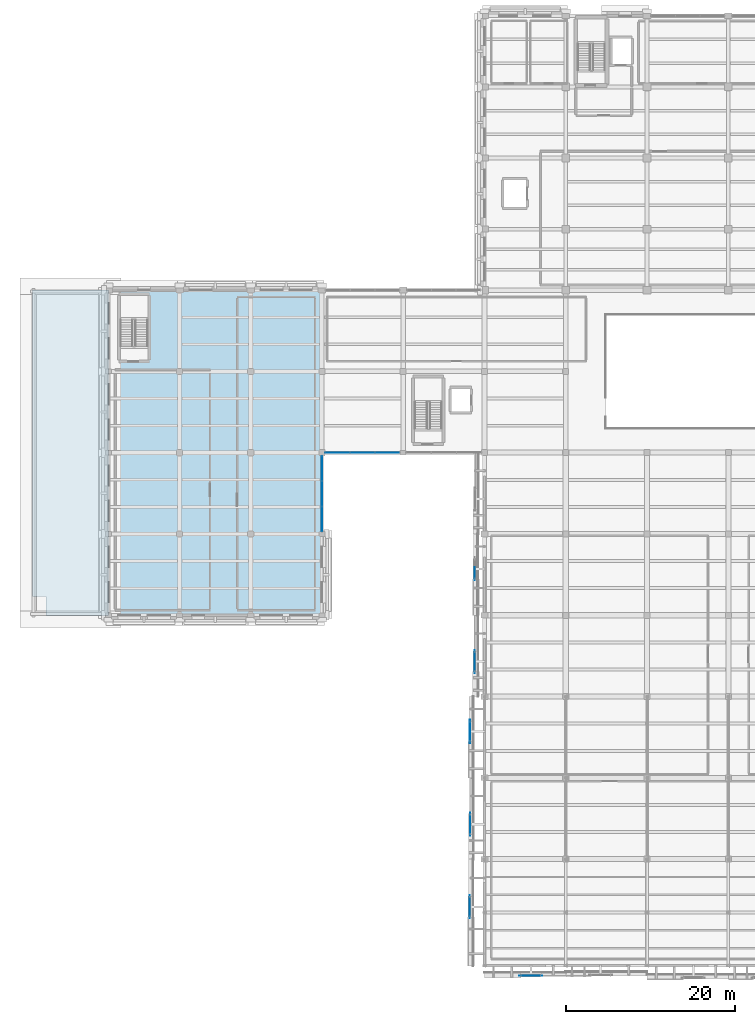
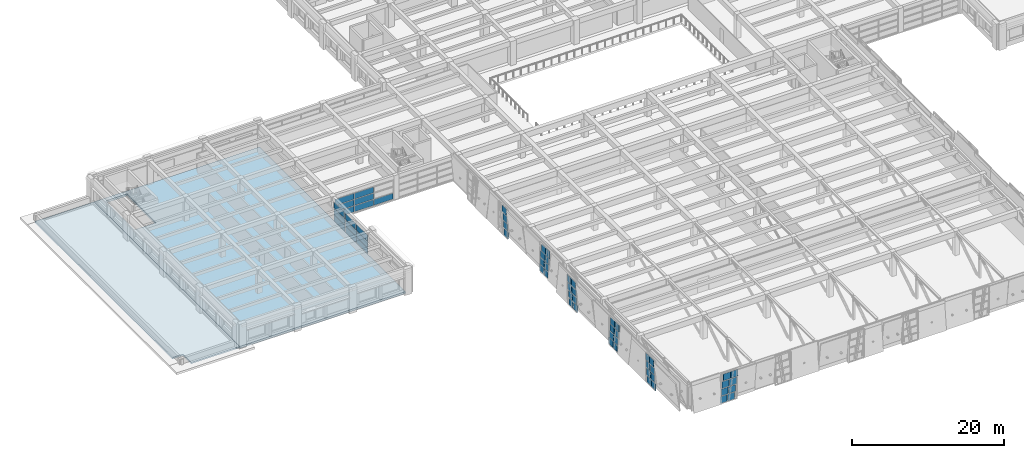
# One storey, part 30 of 62: 60 plates, 2 slabs, 8 elements without a shape of their own.
"""IFC4 building model written with IfcOpenShell, lengths in metres."""

from ifc_helpers import new_model, si_unit, direction, frame, origin, origin_2d, place, context, subcontext, project, spatial, polyline, rectangle, outline, extrude, material, layer, layer_set, type_object, element, aggregate, save


model = new_model("IFC4")

# Units and contexts
model_context = context("Model", 3, precision=1e-05, world=origin(), true_north=direction((0.0, 1.0)))
body_context = subcontext(model_context, "Body", "Model", "MODEL_VIEW")
ifc_project = project(units=[si_unit("LENGTHUNIT", "METRE"), si_unit("AREAUNIT", "SQUARE_METRE"), si_unit("VOLUMEUNIT", "CUBIC_METRE"), si_unit("PLANEANGLEUNIT", "RADIAN"), si_unit("MASSUNIT", "GRAM", prefix="KILO")], contexts=[model_context])

# Site, building, storey
site_placement = place(None, origin())
site = spatial("IfcSite", under=ifc_project, at=site_placement, CompositionType="ELEMENT")
building_placement = place(site_placement, origin())
building = spatial("IfcBuilding", under=site, at=building_placement, Name="Bempovik Park Faculty of Sciences", CompositionType="ELEMENT")
storey_placement = place(building_placement, frame((0.0, 0.0, 9.89990234375)))
storey = spatial("IfcBuildingStorey", under=building, at=storey_placement, Name="L02", CompositionType="ELEMENT", Elevation=9.89990234375)

# Curtain wall, plates
ifc_material_1 = material(Name="Tempered laminated low-E glass", Category="glass")
ifc_layer_1 = layer(ifc_material_1, 0.159912109375)
ifc_layer_set_1 = layer_set([ifc_layer_1], Name="Tempered laminated low-E glass")
curtain_wall_type_1 = type_object("IfcCurtainWallType", Name="CW-41 Curtain 6600x3800", PredefinedType="USERDEFINED", material=ifc_layer_set_1)
curtain_wall_1_placement = place(storey_placement, origin())
curtain_wall_1 = element("IfcCurtainWall", 1, at=curtain_wall_1_placement, inside=storey, type_object=curtain_wall_type_1, Name="L02 Unitised Curtain Wall (67.8,40.8)", ObjectType="UNITISED CURTAIN WALL", PredefinedType="USERDEFINED")
ifc_layer_2 = layer(ifc_material_1, 0.033935546875)
ifc_layer_set_2 = layer_set([ifc_layer_2], Name="Tempered laminated low-E glass")
plate_type_1 = type_object("IfcPlateType", Name="CP-19 Curtain Panel 34mm", PredefinedType="CURTAIN_PANEL", material=ifc_layer_set_2)
plate_1_placement = place(storey_placement, frame((42.64306640625, 67.800048828125, 1.066650390625), z_axis=(0.0, 0.0, 1.0), x_axis=(1.0, 0.0, 0.0)))
plate_1 = element("IfcPlate", 2, at=plate_1_placement, type_object=plate_type_1, Name="CW-BAY-L02-678-408 Panel 0-1", PredefinedType="CURTAIN_PANEL", context=body_context, shape_type="SweptSolid", body=[
    extrude(rectangle(XDim=2.882080078125, YDim=0.035888671875, at=origin_2d()), origin(), (0.0, 0.0, 1.0), 0.94677734375),
])
plate_2_placement = place(storey_placement, frame((42.64306640625, 67.800048828125, 2.093505859375), z_axis=(0.0, 0.0, 1.0), x_axis=(1.0, 0.0, 0.0)))
plate_2 = element("IfcPlate", 3, at=plate_2_placement, type_object=plate_type_1, Name="CW-BAY-L02-678-408 Panel 0-2", PredefinedType="CURTAIN_PANEL", context=body_context, shape_type="SweptSolid", body=[
    extrude(rectangle(XDim=2.882080078125, YDim=0.035888671875, at=origin_2d()), origin(), (0.0, 0.0, 1.0), 0.94677734375),
])
plate_3_placement = place(storey_placement, frame((45.60498046875, 67.800048828125, 1.066650390625), z_axis=(0.0, 0.0, 1.0), x_axis=(1.0, 0.0, 0.0)))
plate_3 = element("IfcPlate", 4, at=plate_3_placement, type_object=plate_type_1, Name="CW-BAY-L02-678-408 Panel 1-1", PredefinedType="CURTAIN_PANEL", context=body_context, shape_type="SweptSolid", body=[
    extrude(rectangle(XDim=2.882080078125, YDim=0.035888671875, at=origin_2d()), origin(), (0.0, 0.0, 1.0), 0.94677734375),
])
plate_4_placement = place(storey_placement, frame((45.60498046875, 67.800048828125, 2.093505859375), z_axis=(0.0, 0.0, 1.0), x_axis=(1.0, 0.0, 0.0)))
plate_4 = element("IfcPlate", 5, at=plate_4_placement, type_object=plate_type_1, Name="CW-BAY-L02-678-408 Panel 1-2", PredefinedType="CURTAIN_PANEL", context=body_context, shape_type="SweptSolid", body=[
    extrude(rectangle(XDim=2.882080078125, YDim=0.035888671875, at=origin_2d()), origin(), (0.0, 0.0, 1.0), 0.94677734375),
])

ifc_layer_3 = layer(ifc_material_1, 0.159912109375)
ifc_layer_set_3 = layer_set([ifc_layer_3], Name="Tempered laminated low-E glass")
curtain_wall_type_2 = type_object("IfcCurtainWallType", Name="CW-42 Curtain 6400x3700", PredefinedType="USERDEFINED", material=ifc_layer_set_3)
curtain_wall_2_placement = place(storey_placement, origin())
curtain_wall_2 = element("IfcCurtainWall", 6, at=curtain_wall_2_placement, inside=storey, type_object=curtain_wall_type_2, Name="L02 Unitised Curtain Wall (40.8,58.2)", ObjectType="UNITISED CURTAIN WALL", PredefinedType="USERDEFINED")
ifc_layer_4 = layer(ifc_material_1, 0.028076171875)
ifc_layer_set_4 = layer_set([ifc_layer_4], Name="Tempered laminated low-E glass")
plate_type_2 = type_object("IfcPlateType", Name="CP-20 Curtain Panel 28mm", PredefinedType="CURTAIN_PANEL", material=ifc_layer_set_4)
plate_5_placement = place(storey_placement, frame((40.800048828125, 59.96630859375, 1.066650390625), z_axis=(0.0, 0.0, 1.0), x_axis=(0.0, 1.0, 0.0)))
plate_5 = element("IfcPlate", 7, at=plate_5_placement, type_object=plate_type_2, Name="CW-BAY-L02-408-582 Panel 0-1", PredefinedType="CURTAIN_PANEL", context=body_context, shape_type="SweptSolid", body=[
    extrude(rectangle(XDim=2.90869140625, YDim=0.035888671875, at=origin_2d()), origin(), (0.0, 0.0, 1.0), 0.94677734375),
])
plate_6_placement = place(storey_placement, frame((40.800048828125, 59.96630859375, 2.093505859375), z_axis=(0.0, 0.0, 1.0), x_axis=(0.0, 1.0, 0.0)))
plate_6 = element("IfcPlate", 8, at=plate_6_placement, type_object=plate_type_2, Name="CW-BAY-L02-408-582 Panel 0-2", PredefinedType="CURTAIN_PANEL", context=body_context, shape_type="SweptSolid", body=[
    extrude(rectangle(XDim=2.90869140625, YDim=0.035888671875, at=origin_2d()), origin(), (0.0, 0.0, 1.0), 0.94677734375),
])
plate_7_placement = place(storey_placement, frame((40.800048828125, 62.955078125, 1.066650390625), z_axis=(0.0, 0.0, 1.0), x_axis=(0.0, 1.0, 0.0)))
plate_7 = element("IfcPlate", 9, at=plate_7_placement, type_object=plate_type_2, Name="CW-BAY-L02-408-582 Panel 1-1", PredefinedType="CURTAIN_PANEL", context=body_context, shape_type="SweptSolid", body=[
    extrude(rectangle(XDim=2.90869140625, YDim=0.035888671875, at=origin_2d()), origin(), (0.0, 0.0, 1.0), 0.94677734375),
])
plate_8_placement = place(storey_placement, frame((40.800048828125, 62.955078125, 2.093505859375), z_axis=(0.0, 0.0, 1.0), x_axis=(0.0, 1.0, 0.0)))
plate_8 = element("IfcPlate", 10, at=plate_8_placement, type_object=plate_type_2, Name="CW-BAY-L02-408-582 Panel 1-2", PredefinedType="CURTAIN_PANEL", context=body_context, shape_type="SweptSolid", body=[
    extrude(rectangle(XDim=2.90869140625, YDim=0.035888671875, at=origin_2d()), origin(), (0.0, 0.0, 1.0), 0.94677734375),
])
plate_9_placement = place(storey_placement, frame((40.800048828125, 65.943603515625, 1.066650390625), z_axis=(0.0, 0.0, 1.0), x_axis=(0.0, 1.0, 0.0)))
plate_9 = element("IfcPlate", 11, at=plate_9_placement, type_object=plate_type_2, Name="CW-BAY-L02-408-582 Panel 2-1", PredefinedType="CURTAIN_PANEL", context=body_context, shape_type="SweptSolid", body=[
    extrude(rectangle(XDim=2.90869140625, YDim=0.035888671875, at=origin_2d()), origin(), (0.0, 0.0, 1.0), 0.94677734375),
])
plate_10_placement = place(storey_placement, frame((40.800048828125, 65.943603515625, 2.093505859375), z_axis=(0.0, 0.0, 1.0), x_axis=(0.0, 1.0, 0.0)))
plate_10 = element("IfcPlate", 12, at=plate_10_placement, type_object=plate_type_2, Name="CW-BAY-L02-408-582 Panel 2-2", PredefinedType="CURTAIN_PANEL", context=body_context, shape_type="SweptSolid", body=[
    extrude(rectangle(XDim=2.90869140625, YDim=0.035888671875, at=origin_2d()), origin(), (0.0, 0.0, 1.0), 0.94677734375),
])

ifc_layer_5 = layer(ifc_material_1, 0.159912109375)
ifc_layer_set_5 = layer_set([ifc_layer_5], Name="Tempered laminated low-E glass")
curtain_wall_type_3 = type_object("IfcCurtainWallType", Name="CW-61 Curtain 2400x4200", PredefinedType="USERDEFINED", material=ifc_layer_set_5)
curtain_wall_3_placement = place(storey_placement, origin())
curtain_wall_3 = element("IfcCurtainWall", 13, at=curtain_wall_3_placement, inside=storey, type_object=curtain_wall_type_3, Name="L02 Crystal Slantwise Light Fold (7.2,60.0)", ObjectType="UNITISED CURTAIN WALL", PredefinedType="USERDEFINED")
ifc_layer_6 = layer(ifc_material_1, 0.035888671875)
ifc_layer_set_6 = layer_set([ifc_layer_6], Name="Tempered laminated low-E glass")
plate_type_3 = type_object("IfcPlateType", Name="CP-22 Curtain Panel 36mm", PredefinedType="CURTAIN_PANEL", material=ifc_layer_set_6)
plate_11_placement = place(storey_placement, frame((64.64501953125, 6.03955078125, -0.3798828125), z_axis=(0.0, 0.0, 1.0), x_axis=(1.0, 0.0, 0.0)))
plate_11 = element("IfcPlate", 14, at=plate_11_placement, type_object=plate_type_3, Name="CW-FOLD-L02-72-600 Panel 0-0", PredefinedType="CURTAIN_PANEL", context=body_context, shape_type="SweptSolid", body=[
    extrude(rectangle(XDim=1.070068359375, YDim=0.035888671875, at=origin_2d()), origin(), (0.0, 0.0, 1.0), 1.0849609375),
])
plate_12_placement = place(storey_placement, frame((64.81494140625, 6.03955078125, 0.78515625), z_axis=(0.0, 0.0, 1.0), x_axis=(1.0, 0.0, 0.0)))
plate_12 = element("IfcPlate", 15, at=plate_12_placement, type_object=plate_type_3, Name="CW-FOLD-L02-72-600 Panel 0-1", PredefinedType="CURTAIN_PANEL", context=body_context, shape_type="SweptSolid", body=[
    extrude(rectangle(XDim=1.070068359375, YDim=0.035888671875, at=origin_2d()), origin(), (0.0, 0.0, 1.0), 1.0849609375),
])
plate_13_placement = place(storey_placement, frame((64.985107421875, 6.03955078125, 1.9501953125), z_axis=(0.0, 0.0, 1.0), x_axis=(1.0, 0.0, 0.0)))
plate_13 = element("IfcPlate", 16, at=plate_13_placement, type_object=plate_type_3, Name="CW-FOLD-L02-72-600 Panel 0-2", PredefinedType="CURTAIN_PANEL", context=body_context, shape_type="SweptSolid", body=[
    extrude(rectangle(XDim=1.070068359375, YDim=0.035888671875, at=origin_2d()), origin(), (0.0, 0.0, 1.0), 1.0849609375),
])
plate_14_placement = place(storey_placement, frame((65.155029296875, 6.03955078125, 3.115234375), z_axis=(0.0, 0.0, 1.0), x_axis=(1.0, 0.0, 0.0)))
plate_14 = element("IfcPlate", 17, at=plate_14_placement, type_object=plate_type_3, Name="CW-FOLD-L02-72-600 Panel 0-3", PredefinedType="CURTAIN_PANEL", context=body_context, shape_type="SweptSolid", body=[
    extrude(rectangle(XDim=1.070068359375, YDim=0.035888671875, at=origin_2d()), origin(), (0.0, 0.0, 1.0), 1.0849609375),
])
plate_15_placement = place(storey_placement, frame((65.794921875, 6.03955078125, -0.3798828125), z_axis=(0.0, 0.0, 1.0), x_axis=(1.0, 0.0, 0.0)))
plate_15 = element("IfcPlate", 18, at=plate_15_placement, type_object=plate_type_3, Name="CW-FOLD-L02-72-600 Panel 1-0", PredefinedType="CURTAIN_PANEL", context=body_context, shape_type="SweptSolid", body=[
    extrude(rectangle(XDim=1.070068359375, YDim=0.035888671875, at=origin_2d()), origin(), (0.0, 0.0, 1.0), 1.0849609375),
])
plate_16_placement = place(storey_placement, frame((65.965087890625, 6.03955078125, 0.78515625), z_axis=(0.0, 0.0, 1.0), x_axis=(1.0, 0.0, 0.0)))
plate_16 = element("IfcPlate", 19, at=plate_16_placement, type_object=plate_type_3, Name="CW-FOLD-L02-72-600 Panel 1-1", PredefinedType="CURTAIN_PANEL", context=body_context, shape_type="SweptSolid", body=[
    extrude(rectangle(XDim=1.070068359375, YDim=0.035888671875, at=origin_2d()), origin(), (0.0, 0.0, 1.0), 1.0849609375),
])
plate_17_placement = place(storey_placement, frame((66.135009765625, 6.03955078125, 1.9501953125), z_axis=(0.0, 0.0, 1.0), x_axis=(1.0, 0.0, 0.0)))
plate_17 = element("IfcPlate", 20, at=plate_17_placement, type_object=plate_type_3, Name="CW-FOLD-L02-72-600 Panel 1-2", PredefinedType="CURTAIN_PANEL", context=body_context, shape_type="SweptSolid", body=[
    extrude(rectangle(XDim=1.070068359375, YDim=0.035888671875, at=origin_2d()), origin(), (0.0, 0.0, 1.0), 1.0849609375),
])
plate_18_placement = place(storey_placement, frame((66.304931640625, 6.03955078125, 3.115234375), z_axis=(0.0, 0.0, 1.0), x_axis=(1.0, 0.0, 0.0)))
plate_18 = element("IfcPlate", 21, at=plate_18_placement, type_object=plate_type_3, Name="CW-FOLD-L02-72-600 Panel 1-3", PredefinedType="CURTAIN_PANEL", context=body_context, shape_type="SweptSolid", body=[
    extrude(rectangle(XDim=1.070068359375, YDim=0.035888671875, at=origin_2d()), origin(), (0.0, 0.0, 1.0), 1.0849609375),
])
aggregate(curtain_wall_3, [plate_11, plate_12, plate_13, plate_14, plate_15, plate_16, plate_17, plate_18])

curtain_wall_4_placement = place(storey_placement, origin())
curtain_wall_4 = element("IfcCurtainWall", 22, at=curtain_wall_4_placement, inside=storey, type_object=curtain_wall_type_3, Name="L02 Crystal Slantwise Light Fold (60.0,7.2)", ObjectType="UNITISED CURTAIN WALL", PredefinedType="USERDEFINED")
plate_19_placement = place(storey_placement, frame((58.259521484375, 13.344970703125, -0.3798828125), z_axis=(0.0, 0.0, 1.0), x_axis=(0.0, 1.0, 0.0)))
plate_19 = element("IfcPlate", 23, at=plate_19_placement, type_object=plate_type_3, Name="CW-FOLD-L02-600-72 Panel 0-0", PredefinedType="CURTAIN_PANEL", context=body_context, shape_type="SweptSolid", body=[
    extrude(rectangle(XDim=1.070068359375, YDim=0.035888671875, at=origin_2d()), origin(), (0.0, 0.0, 1.0), 1.0849609375),
])
plate_20_placement = place(storey_placement, frame((58.259521484375, 13.514892578125, 0.78515625), z_axis=(0.0, 0.0, 1.0), x_axis=(0.0, 1.0, 0.0)))
plate_20 = element("IfcPlate", 24, at=plate_20_placement, type_object=plate_type_3, Name="CW-FOLD-L02-600-72 Panel 0-1", PredefinedType="CURTAIN_PANEL", context=body_context, shape_type="SweptSolid", body=[
    extrude(rectangle(XDim=1.070068359375, YDim=0.035888671875, at=origin_2d()), origin(), (0.0, 0.0, 1.0), 1.0849609375),
])
plate_21_placement = place(storey_placement, frame((58.259521484375, 13.68505859375, 1.9501953125), z_axis=(0.0, 0.0, 1.0), x_axis=(0.0, 1.0, 0.0)))
plate_21 = element("IfcPlate", 25, at=plate_21_placement, type_object=plate_type_3, Name="CW-FOLD-L02-600-72 Panel 0-2", PredefinedType="CURTAIN_PANEL", context=body_context, shape_type="SweptSolid", body=[
    extrude(rectangle(XDim=1.070068359375, YDim=0.035888671875, at=origin_2d()), origin(), (0.0, 0.0, 1.0), 1.0849609375),
])
plate_22_placement = place(storey_placement, frame((58.259521484375, 13.85498046875, 3.115234375), z_axis=(0.0, 0.0, 1.0), x_axis=(0.0, 1.0, 0.0)))
plate_22 = element("IfcPlate", 26, at=plate_22_placement, type_object=plate_type_3, Name="CW-FOLD-L02-600-72 Panel 0-3", PredefinedType="CURTAIN_PANEL", context=body_context, shape_type="SweptSolid", body=[
    extrude(rectangle(XDim=1.070068359375, YDim=0.035888671875, at=origin_2d()), origin(), (0.0, 0.0, 1.0), 1.0849609375),
])
plate_23_placement = place(storey_placement, frame((58.259521484375, 14.4951171875, -0.3798828125), z_axis=(0.0, 0.0, 1.0), x_axis=(0.0, 1.0, 0.0)))
plate_23 = element("IfcPlate", 27, at=plate_23_placement, type_object=plate_type_3, Name="CW-FOLD-L02-600-72 Panel 1-0", PredefinedType="CURTAIN_PANEL", context=body_context, shape_type="SweptSolid", body=[
    extrude(rectangle(XDim=1.070068359375, YDim=0.035888671875, at=origin_2d()), origin(), (0.0, 0.0, 1.0), 1.0849609375),
])
plate_24_placement = place(storey_placement, frame((58.259521484375, 14.6650390625, 0.78515625), z_axis=(0.0, 0.0, 1.0), x_axis=(0.0, 1.0, 0.0)))
plate_24 = element("IfcPlate", 28, at=plate_24_placement, type_object=plate_type_3, Name="CW-FOLD-L02-600-72 Panel 1-1", PredefinedType="CURTAIN_PANEL", context=body_context, shape_type="SweptSolid", body=[
    extrude(rectangle(XDim=1.070068359375, YDim=0.035888671875, at=origin_2d()), origin(), (0.0, 0.0, 1.0), 1.0849609375),
])
plate_25_placement = place(storey_placement, frame((58.259521484375, 14.8349609375, 1.9501953125), z_axis=(0.0, 0.0, 1.0), x_axis=(0.0, 1.0, 0.0)))
plate_25 = element("IfcPlate", 29, at=plate_25_placement, type_object=plate_type_3, Name="CW-FOLD-L02-600-72 Panel 1-2", PredefinedType="CURTAIN_PANEL", context=body_context, shape_type="SweptSolid", body=[
    extrude(rectangle(XDim=1.070068359375, YDim=0.035888671875, at=origin_2d()), origin(), (0.0, 0.0, 1.0), 1.0849609375),
])
plate_26_placement = place(storey_placement, frame((58.259521484375, 15.0048828125, 3.115234375), z_axis=(0.0, 0.0, 1.0), x_axis=(0.0, 1.0, 0.0)))
plate_26 = element("IfcPlate", 30, at=plate_26_placement, type_object=plate_type_3, Name="CW-FOLD-L02-600-72 Panel 1-3", PredefinedType="CURTAIN_PANEL", context=body_context, shape_type="SweptSolid", body=[
    extrude(rectangle(XDim=1.070068359375, YDim=0.035888671875, at=origin_2d()), origin(), (0.0, 0.0, 1.0), 1.0849609375),
])
aggregate(curtain_wall_4, [plate_19, plate_20, plate_21, plate_22, plate_23, plate_24, plate_25, plate_26])

curtain_wall_5_placement = place(storey_placement, origin())
curtain_wall_5 = element("IfcCurtainWall", 31, at=curtain_wall_5_placement, inside=storey, type_object=curtain_wall_type_3, Name="L02 Crystal Slantwise Light Fold (60.0,19.8)", ObjectType="UNITISED CURTAIN WALL", PredefinedType="USERDEFINED")
plate_27_placement = place(storey_placement, frame((58.32421875, 23.60498046875, -0.3798828125), z_axis=(0.0, 0.0, 1.0), x_axis=(0.0, 1.0, 0.0)))
plate_27 = element("IfcPlate", 32, at=plate_27_placement, type_object=plate_type_3, Name="CW-FOLD-L02-600-198 Panel 0-0", PredefinedType="CURTAIN_PANEL", context=body_context, shape_type="SweptSolid", body=[
    extrude(rectangle(XDim=1.070068359375, YDim=0.035888671875, at=origin_2d()), origin(), (0.0, 0.0, 1.0), 1.0849609375),
])
plate_28_placement = place(storey_placement, frame((58.32421875, 23.43505859375, 0.78515625), z_axis=(0.0, 0.0, 1.0), x_axis=(0.0, 1.0, 0.0)))
plate_28 = element("IfcPlate", 33, at=plate_28_placement, type_object=plate_type_3, Name="CW-FOLD-L02-600-198 Panel 0-1", PredefinedType="CURTAIN_PANEL", context=body_context, shape_type="SweptSolid", body=[
    extrude(rectangle(XDim=1.070068359375, YDim=0.035888671875, at=origin_2d()), origin(), (0.0, 0.0, 1.0), 1.0849609375),
])
plate_29_placement = place(storey_placement, frame((58.32421875, 23.264892578125, 1.9501953125), z_axis=(0.0, 0.0, 1.0), x_axis=(0.0, 1.0, 0.0)))
plate_29 = element("IfcPlate", 34, at=plate_29_placement, type_object=plate_type_3, Name="CW-FOLD-L02-600-198 Panel 0-2", PredefinedType="CURTAIN_PANEL", context=body_context, shape_type="SweptSolid", body=[
    extrude(rectangle(XDim=1.070068359375, YDim=0.035888671875, at=origin_2d()), origin(), (0.0, 0.0, 1.0), 1.0849609375),
])
plate_30_placement = place(storey_placement, frame((58.32421875, 23.094970703125, 3.115234375), z_axis=(0.0, 0.0, 1.0), x_axis=(0.0, 1.0, 0.0)))
plate_30 = element("IfcPlate", 35, at=plate_30_placement, type_object=plate_type_3, Name="CW-FOLD-L02-600-198 Panel 0-3", PredefinedType="CURTAIN_PANEL", context=body_context, shape_type="SweptSolid", body=[
    extrude(rectangle(XDim=1.070068359375, YDim=0.035888671875, at=origin_2d()), origin(), (0.0, 0.0, 1.0), 1.0849609375),
])
plate_31_placement = place(storey_placement, frame((58.32421875, 24.7548828125, -0.3798828125), z_axis=(0.0, 0.0, 1.0), x_axis=(0.0, 1.0, 0.0)))
plate_31 = element("IfcPlate", 36, at=plate_31_placement, type_object=plate_type_3, Name="CW-FOLD-L02-600-198 Panel 1-0", PredefinedType="CURTAIN_PANEL", context=body_context, shape_type="SweptSolid", body=[
    extrude(rectangle(XDim=1.070068359375, YDim=0.035888671875, at=origin_2d()), origin(), (0.0, 0.0, 1.0), 1.0849609375),
])
plate_32_placement = place(storey_placement, frame((58.32421875, 24.5849609375, 0.78515625), z_axis=(0.0, 0.0, 1.0), x_axis=(0.0, 1.0, 0.0)))
plate_32 = element("IfcPlate", 37, at=plate_32_placement, type_object=plate_type_3, Name="CW-FOLD-L02-600-198 Panel 1-1", PredefinedType="CURTAIN_PANEL", context=body_context, shape_type="SweptSolid", body=[
    extrude(rectangle(XDim=1.070068359375, YDim=0.035888671875, at=origin_2d()), origin(), (0.0, 0.0, 1.0), 1.0849609375),
])
plate_33_placement = place(storey_placement, frame((58.32421875, 24.4150390625, 1.9501953125), z_axis=(0.0, 0.0, 1.0), x_axis=(0.0, 1.0, 0.0)))
plate_33 = element("IfcPlate", 38, at=plate_33_placement, type_object=plate_type_3, Name="CW-FOLD-L02-600-198 Panel 1-2", PredefinedType="CURTAIN_PANEL", context=body_context, shape_type="SweptSolid", body=[
    extrude(rectangle(XDim=1.070068359375, YDim=0.035888671875, at=origin_2d()), origin(), (0.0, 0.0, 1.0), 1.0849609375),
])
plate_34_placement = place(storey_placement, frame((58.32421875, 24.2451171875, 3.115234375), z_axis=(0.0, 0.0, 1.0), x_axis=(0.0, 1.0, 0.0)))
plate_34 = element("IfcPlate", 39, at=plate_34_placement, type_object=plate_type_3, Name="CW-FOLD-L02-600-198 Panel 1-3", PredefinedType="CURTAIN_PANEL", context=body_context, shape_type="SweptSolid", body=[
    extrude(rectangle(XDim=1.070068359375, YDim=0.035888671875, at=origin_2d()), origin(), (0.0, 0.0, 1.0), 1.0849609375),
])
aggregate(curtain_wall_5, [plate_27, plate_28, plate_29, plate_30, plate_31, plate_32, plate_33, plate_34])

curtain_wall_6_placement = place(storey_placement, origin())
curtain_wall_6 = element("IfcCurtainWall", 40, at=curtain_wall_6_placement, inside=storey, type_object=curtain_wall_type_3, Name="L02 Crystal Slantwise Light Fold (60.0,29.4)", ObjectType="UNITISED CURTAIN WALL", PredefinedType="USERDEFINED")
plate_35_placement = place(storey_placement, frame((58.291748046875, 34.044921875, -0.3798828125), z_axis=(0.0, 0.0, 1.0), x_axis=(0.0, 1.0, 0.0)))
plate_35 = element("IfcPlate", 41, at=plate_35_placement, type_object=plate_type_3, Name="CW-FOLD-L02-600-294 Panel 0-0", PredefinedType="CURTAIN_PANEL", context=body_context, shape_type="SweptSolid", body=[
    extrude(rectangle(XDim=1.070068359375, YDim=0.035888671875, at=origin_2d()), origin(), (0.0, 0.0, 1.0), 1.0849609375),
])
plate_36_placement = place(storey_placement, frame((58.291748046875, 34.215087890625, 0.78515625), z_axis=(0.0, 0.0, 1.0), x_axis=(0.0, 1.0, 0.0)))
plate_36 = element("IfcPlate", 42, at=plate_36_placement, type_object=plate_type_3, Name="CW-FOLD-L02-600-294 Panel 0-1", PredefinedType="CURTAIN_PANEL", context=body_context, shape_type="SweptSolid", body=[
    extrude(rectangle(XDim=1.070068359375, YDim=0.035888671875, at=origin_2d()), origin(), (0.0, 0.0, 1.0), 1.0849609375),
])
plate_37_placement = place(storey_placement, frame((58.291748046875, 34.385009765625, 1.9501953125), z_axis=(0.0, 0.0, 1.0), x_axis=(0.0, 1.0, 0.0)))
plate_37 = element("IfcPlate", 43, at=plate_37_placement, type_object=plate_type_3, Name="CW-FOLD-L02-600-294 Panel 0-2", PredefinedType="CURTAIN_PANEL", context=body_context, shape_type="SweptSolid", body=[
    extrude(rectangle(XDim=1.070068359375, YDim=0.035888671875, at=origin_2d()), origin(), (0.0, 0.0, 1.0), 1.0849609375),
])
plate_38_placement = place(storey_placement, frame((58.291748046875, 34.554931640625, 3.115234375), z_axis=(0.0, 0.0, 1.0), x_axis=(0.0, 1.0, 0.0)))
plate_38 = element("IfcPlate", 44, at=plate_38_placement, type_object=plate_type_3, Name="CW-FOLD-L02-600-294 Panel 0-3", PredefinedType="CURTAIN_PANEL", context=body_context, shape_type="SweptSolid", body=[
    extrude(rectangle(XDim=1.070068359375, YDim=0.035888671875, at=origin_2d()), origin(), (0.0, 0.0, 1.0), 1.0849609375),
])
plate_39_placement = place(storey_placement, frame((58.291748046875, 35.195068359375, -0.3798828125), z_axis=(0.0, 0.0, 1.0), x_axis=(0.0, 1.0, 0.0)))
plate_39 = element("IfcPlate", 45, at=plate_39_placement, type_object=plate_type_3, Name="CW-FOLD-L02-600-294 Panel 1-0", PredefinedType="CURTAIN_PANEL", context=body_context, shape_type="SweptSolid", body=[
    extrude(rectangle(XDim=1.070068359375, YDim=0.035888671875, at=origin_2d()), origin(), (0.0, 0.0, 1.0), 1.0849609375),
])
plate_40_placement = place(storey_placement, frame((58.291748046875, 35.364990234375, 0.78515625), z_axis=(0.0, 0.0, 1.0), x_axis=(0.0, 1.0, 0.0)))
plate_40 = element("IfcPlate", 46, at=plate_40_placement, type_object=plate_type_3, Name="CW-FOLD-L02-600-294 Panel 1-1", PredefinedType="CURTAIN_PANEL", context=body_context, shape_type="SweptSolid", body=[
    extrude(rectangle(XDim=1.070068359375, YDim=0.035888671875, at=origin_2d()), origin(), (0.0, 0.0, 1.0), 1.0849609375),
])
plate_41_placement = place(storey_placement, frame((58.291748046875, 35.534912109375, 1.9501953125), z_axis=(0.0, 0.0, 1.0), x_axis=(0.0, 1.0, 0.0)))
plate_41 = element("IfcPlate", 47, at=plate_41_placement, type_object=plate_type_3, Name="CW-FOLD-L02-600-294 Panel 1-2", PredefinedType="CURTAIN_PANEL", context=body_context, shape_type="SweptSolid", body=[
    extrude(rectangle(XDim=1.070068359375, YDim=0.035888671875, at=origin_2d()), origin(), (0.0, 0.0, 1.0), 1.0849609375),
])
plate_42_placement = place(storey_placement, frame((58.291748046875, 35.705078125, 3.115234375), z_axis=(0.0, 0.0, 1.0), x_axis=(0.0, 1.0, 0.0)))
plate_42 = element("IfcPlate", 48, at=plate_42_placement, type_object=plate_type_3, Name="CW-FOLD-L02-600-294 Panel 1-3", PredefinedType="CURTAIN_PANEL", context=body_context, shape_type="SweptSolid", body=[
    extrude(rectangle(XDim=1.070068359375, YDim=0.035888671875, at=origin_2d()), origin(), (0.0, 0.0, 1.0), 1.0849609375),
])
aggregate(curtain_wall_6, [plate_35, plate_36, plate_37, plate_38, plate_39, plate_40, plate_41, plate_42])

curtain_wall_7_placement = place(storey_placement, origin())
curtain_wall_7 = element("IfcCurtainWall", 49, at=curtain_wall_7_placement, inside=storey, type_object=curtain_wall_type_3, Name="L02 Crystal Slantwise Light Fold (60.0,39.0)", ObjectType="UNITISED CURTAIN WALL", PredefinedType="USERDEFINED")
plate_43_placement = place(storey_placement, frame((58.855712890625, 42.804931640625, -0.3798828125), z_axis=(0.0, 0.0, 1.0), x_axis=(0.0, 1.0, 0.0)))
plate_43 = element("IfcPlate", 50, at=plate_43_placement, type_object=plate_type_3, Name="CW-FOLD-L02-600-390 Panel 0-0", PredefinedType="CURTAIN_PANEL", context=body_context, shape_type="SweptSolid", body=[
    extrude(rectangle(XDim=1.070068359375, YDim=0.035888671875, at=origin_2d()), origin(), (0.0, 0.0, 1.0), 1.0849609375),
])
plate_44_placement = place(storey_placement, frame((58.855712890625, 42.635009765625, 0.78515625), z_axis=(0.0, 0.0, 1.0), x_axis=(0.0, 1.0, 0.0)))
plate_44 = element("IfcPlate", 51, at=plate_44_placement, type_object=plate_type_3, Name="CW-FOLD-L02-600-390 Panel 0-1", PredefinedType="CURTAIN_PANEL", context=body_context, shape_type="SweptSolid", body=[
    extrude(rectangle(XDim=1.070068359375, YDim=0.035888671875, at=origin_2d()), origin(), (0.0, 0.0, 1.0), 1.0849609375),
])
plate_45_placement = place(storey_placement, frame((58.855712890625, 42.465087890625, 1.9501953125), z_axis=(0.0, 0.0, 1.0), x_axis=(0.0, 1.0, 0.0)))
plate_45 = element("IfcPlate", 52, at=plate_45_placement, type_object=plate_type_3, Name="CW-FOLD-L02-600-390 Panel 0-2", PredefinedType="CURTAIN_PANEL", context=body_context, shape_type="SweptSolid", body=[
    extrude(rectangle(XDim=1.070068359375, YDim=0.035888671875, at=origin_2d()), origin(), (0.0, 0.0, 1.0), 1.0849609375),
])
plate_46_placement = place(storey_placement, frame((58.855712890625, 42.294921875, 3.115234375), z_axis=(0.0, 0.0, 1.0), x_axis=(0.0, 1.0, 0.0)))
plate_46 = element("IfcPlate", 53, at=plate_46_placement, type_object=plate_type_3, Name="CW-FOLD-L02-600-390 Panel 0-3", PredefinedType="CURTAIN_PANEL", context=body_context, shape_type="SweptSolid", body=[
    extrude(rectangle(XDim=1.070068359375, YDim=0.035888671875, at=origin_2d()), origin(), (0.0, 0.0, 1.0), 1.0849609375),
])
plate_47_placement = place(storey_placement, frame((58.855712890625, 43.955078125, -0.3798828125), z_axis=(0.0, 0.0, 1.0), x_axis=(0.0, 1.0, 0.0)))
plate_47 = element("IfcPlate", 54, at=plate_47_placement, type_object=plate_type_3, Name="CW-FOLD-L02-600-390 Panel 1-0", PredefinedType="CURTAIN_PANEL", context=body_context, shape_type="SweptSolid", body=[
    extrude(rectangle(XDim=1.070068359375, YDim=0.035888671875, at=origin_2d()), origin(), (0.0, 0.0, 1.0), 1.0849609375),
])
plate_48_placement = place(storey_placement, frame((58.855712890625, 43.784912109375, 0.78515625), z_axis=(0.0, 0.0, 1.0), x_axis=(0.0, 1.0, 0.0)))
plate_48 = element("IfcPlate", 55, at=plate_48_placement, type_object=plate_type_3, Name="CW-FOLD-L02-600-390 Panel 1-1", PredefinedType="CURTAIN_PANEL", context=body_context, shape_type="SweptSolid", body=[
    extrude(rectangle(XDim=1.070068359375, YDim=0.035888671875, at=origin_2d()), origin(), (0.0, 0.0, 1.0), 1.0849609375),
])
plate_49_placement = place(storey_placement, frame((58.855712890625, 43.614990234375, 1.9501953125), z_axis=(0.0, 0.0, 1.0), x_axis=(0.0, 1.0, 0.0)))
plate_49 = element("IfcPlate", 56, at=plate_49_placement, type_object=plate_type_3, Name="CW-FOLD-L02-600-390 Panel 1-2", PredefinedType="CURTAIN_PANEL", context=body_context, shape_type="SweptSolid", body=[
    extrude(rectangle(XDim=1.070068359375, YDim=0.035888671875, at=origin_2d()), origin(), (0.0, 0.0, 1.0), 1.0849609375),
])
plate_50_placement = place(storey_placement, frame((58.855712890625, 43.445068359375, 3.115234375), z_axis=(0.0, 0.0, 1.0), x_axis=(0.0, 1.0, 0.0)))
plate_50 = element("IfcPlate", 57, at=plate_50_placement, type_object=plate_type_3, Name="CW-FOLD-L02-600-390 Panel 1-3", PredefinedType="CURTAIN_PANEL", context=body_context, shape_type="SweptSolid", body=[
    extrude(rectangle(XDim=1.070068359375, YDim=0.035888671875, at=origin_2d()), origin(), (0.0, 0.0, 1.0), 1.0849609375),
])
aggregate(curtain_wall_7, [plate_43, plate_44, plate_45, plate_46, plate_47, plate_48, plate_49, plate_50])

curtain_wall_8_placement = place(storey_placement, origin())
curtain_wall_8 = element("IfcCurtainWall", 58, at=curtain_wall_8_placement, inside=storey, type_object=curtain_wall_type_3, Name="L02 Crystal Slantwise Light Fold (60.0,48.6)", ObjectType="UNITISED CURTAIN WALL", PredefinedType="USERDEFINED")
plate_51_placement = place(storey_placement, frame((58.84765625, 53.2451171875, -0.3798828125), z_axis=(0.0, 0.0, 1.0), x_axis=(0.0, 1.0, 0.0)))
plate_51 = element("IfcPlate", 59, at=plate_51_placement, type_object=plate_type_3, Name="CW-FOLD-L02-600-486 Panel 0-0", PredefinedType="CURTAIN_PANEL", context=body_context, shape_type="SweptSolid", body=[
    extrude(rectangle(XDim=1.070068359375, YDim=0.035888671875, at=origin_2d()), origin(), (0.0, 0.0, 1.0), 1.0849609375),
])
plate_52_placement = place(storey_placement, frame((58.84765625, 53.4150390625, 0.78515625), z_axis=(0.0, 0.0, 1.0), x_axis=(0.0, 1.0, 0.0)))
plate_52 = element("IfcPlate", 60, at=plate_52_placement, type_object=plate_type_3, Name="CW-FOLD-L02-600-486 Panel 0-1", PredefinedType="CURTAIN_PANEL", context=body_context, shape_type="SweptSolid", body=[
    extrude(rectangle(XDim=1.070068359375, YDim=0.035888671875, at=origin_2d()), origin(), (0.0, 0.0, 1.0), 1.0849609375),
])
plate_53_placement = place(storey_placement, frame((58.84765625, 53.5849609375, 1.9501953125), z_axis=(0.0, 0.0, 1.0), x_axis=(0.0, 1.0, 0.0)))
plate_53 = element("IfcPlate", 61, at=plate_53_placement, type_object=plate_type_3, Name="CW-FOLD-L02-600-486 Panel 0-2", PredefinedType="CURTAIN_PANEL", context=body_context, shape_type="SweptSolid", body=[
    extrude(rectangle(XDim=1.070068359375, YDim=0.035888671875, at=origin_2d()), origin(), (0.0, 0.0, 1.0), 1.0849609375),
])
plate_54_placement = place(storey_placement, frame((58.84765625, 53.7548828125, 3.115234375), z_axis=(0.0, 0.0, 1.0), x_axis=(0.0, 1.0, 0.0)))
plate_54 = element("IfcPlate", 62, at=plate_54_placement, type_object=plate_type_3, Name="CW-FOLD-L02-600-486 Panel 0-3", PredefinedType="CURTAIN_PANEL", context=body_context, shape_type="SweptSolid", body=[
    extrude(rectangle(XDim=1.070068359375, YDim=0.035888671875, at=origin_2d()), origin(), (0.0, 0.0, 1.0), 1.0849609375),
])
aggregate(curtain_wall_8, [plate_51, plate_52, plate_53, plate_54])

# Plate
ifc_material_2 = material(Name="Anodised architectural bronze")
ifc_layer_7 = layer(ifc_material_2, 0.048095703125)
ifc_layer_set_7 = layer_set([ifc_layer_7], Name="Anodised architectural bronze")
plate_type_4 = type_object("IfcPlateType", Name="CP-24 Curtain Panel 48mm", PredefinedType="CURTAIN_PANEL", material=ifc_layer_set_7)
plate_55_placement = place(storey_placement, frame((42.64306640625, 67.800048828125, 0.0400390625), z_axis=(0.0, 0.0, 1.0), x_axis=(1.0, 0.0, 0.0)))
plate_55 = element("IfcPlate", 63, at=plate_55_placement, type_object=plate_type_4, Name="CW-BAY-L02-678-408 Panel 0-0", PredefinedType="CURTAIN_PANEL", context=body_context, shape_type="SweptSolid", body=[
    extrude(rectangle(XDim=2.882080078125, YDim=0.035888671875, at=origin_2d()), origin(), (0.0, 0.0, 1.0), 0.94677734375),
])

plate_56_placement = place(storey_placement, frame((45.60498046875, 67.800048828125, 0.0400390625), z_axis=(0.0, 0.0, 1.0), x_axis=(1.0, 0.0, 0.0)))
plate_56 = element("IfcPlate", 64, at=plate_56_placement, type_object=plate_type_4, Name="CW-BAY-L02-678-408 Panel 1-0", PredefinedType="CURTAIN_PANEL", context=body_context, shape_type="SweptSolid", body=[
    extrude(rectangle(XDim=2.882080078125, YDim=0.035888671875, at=origin_2d()), origin(), (0.0, 0.0, 1.0), 0.94677734375),
])

plate_57_placement = place(storey_placement, frame((48.56689453125, 67.800048828125, 0.0400390625), z_axis=(0.0, 0.0, 1.0), x_axis=(1.0, 0.0, 0.0)))
plate_57 = element("IfcPlate", 65, at=plate_57_placement, type_object=plate_type_4, Name="CW-BAY-L02-678-408 Panel 2-0", PredefinedType="CURTAIN_PANEL", context=body_context, shape_type="SweptSolid", body=[
    extrude(rectangle(XDim=2.882080078125, YDim=0.035888671875, at=origin_2d()), origin(), (0.0, 0.0, 1.0), 0.94677734375),
])

aggregate(curtain_wall_1, [plate_55, plate_1, plate_2, plate_56, plate_3, plate_4, plate_57])

plate_58_placement = place(storey_placement, frame((40.800048828125, 59.96630859375, 0.0400390625), z_axis=(0.0, 0.0, 1.0), x_axis=(0.0, 1.0, 0.0)))
plate_58 = element("IfcPlate", 66, at=plate_58_placement, type_object=plate_type_4, Name="CW-BAY-L02-408-582 Panel 0-0", PredefinedType="CURTAIN_PANEL", context=body_context, shape_type="SweptSolid", body=[
    extrude(rectangle(XDim=2.90869140625, YDim=0.035888671875, at=origin_2d()), origin(), (0.0, 0.0, 1.0), 0.94677734375),
])

plate_59_placement = place(storey_placement, frame((40.800048828125, 62.955078125, 0.0400390625), z_axis=(0.0, 0.0, 1.0), x_axis=(0.0, 1.0, 0.0)))
plate_59 = element("IfcPlate", 67, at=plate_59_placement, type_object=plate_type_4, Name="CW-BAY-L02-408-582 Panel 1-0", PredefinedType="CURTAIN_PANEL", context=body_context, shape_type="SweptSolid", body=[
    extrude(rectangle(XDim=2.90869140625, YDim=0.035888671875, at=origin_2d()), origin(), (0.0, 0.0, 1.0), 0.94677734375),
])

plate_60_placement = place(storey_placement, frame((40.800048828125, 65.943603515625, 0.0400390625), z_axis=(0.0, 0.0, 1.0), x_axis=(0.0, 1.0, 0.0)))
plate_60 = element("IfcPlate", 68, at=plate_60_placement, type_object=plate_type_4, Name="CW-BAY-L02-408-582 Panel 2-0", PredefinedType="CURTAIN_PANEL", context=body_context, shape_type="SweptSolid", body=[
    extrude(rectangle(XDim=2.90869140625, YDim=0.035888671875, at=origin_2d()), origin(), (0.0, 0.0, 1.0), 0.94677734375),
])

aggregate(curtain_wall_2, [plate_58, plate_5, plate_6, plate_59, plate_7, plate_8, plate_60, plate_9, plate_10])

# Slabs
ifc_material_3 = material(Name="Concrete C35/45", Category="concrete")
ifc_layer_8 = layer(ifc_material_3, 0.300048828125)
ifc_layer_set_8 = layer_set([ifc_layer_8], Name="Concrete C35/45")
slab_type_1 = type_object("IfcSlabType", Name="S-25 Slab 300mm", PredefinedType="FLOOR", material=ifc_layer_set_8)
slab_1_placement = place(storey_placement, frame((0.0, 0.0, -0.31982421875)))
element("IfcSlab", 69, at=slab_1_placement, inside=storey, type_object=slab_type_1, Name="L02 West Laboratory Wing Floor Slab (M)", PredefinedType="FLOOR", context=body_context, shape_type="SweptSolid", body=[
    extrude(outline(polyline([(15.60009765625, 48.60009765625), (40.800048828125, 48.60009765625), (40.800048828125, 87.0), (15.60009765625, 87.0), (15.60009765625, 48.60009765625)]), holes=[polyline([(17.0, 78.75), (20.25, 78.75), (20.25, 86.375), (17.0, 86.375), (17.0, 78.75)])]), origin(), (0.0, 0.0, 1.0), 0.31982421875),
])
ifc_layer_9 = layer(ifc_material_3, 0.219970703125)
ifc_layer_set_9 = layer_set([ifc_layer_9], Name="Concrete C35/45")
slab_type_2 = type_object("IfcSlabType", Name="S-38 Slab 220mm", PredefinedType="ROOF", material=ifc_layer_set_9)
slab_2_placement = place(storey_placement, frame((0.0, 0.0, -0.219970703125)))
element("IfcSlab", 70, at=slab_2_placement, inside=storey, type_object=slab_type_2, Name="Flat Concrete Roof Slab RF-V4-STEP", PredefinedType="ROOF", context=body_context, shape_type="SweptSolid", body=[
    extrude(outline(polyline([(8.219970703125, 48.60009765625), (15.60009765625, 48.60009765625), (15.60009765625, 87.0), (6.60009765625, 87.0), (6.60009765625, 50.800048828125), (8.219970703125, 50.800048828125), (8.219970703125, 48.60009765625)])), origin(), (0.0, 0.0, 1.0), 0.219970703125),
])

save(model, "model.ifc")
